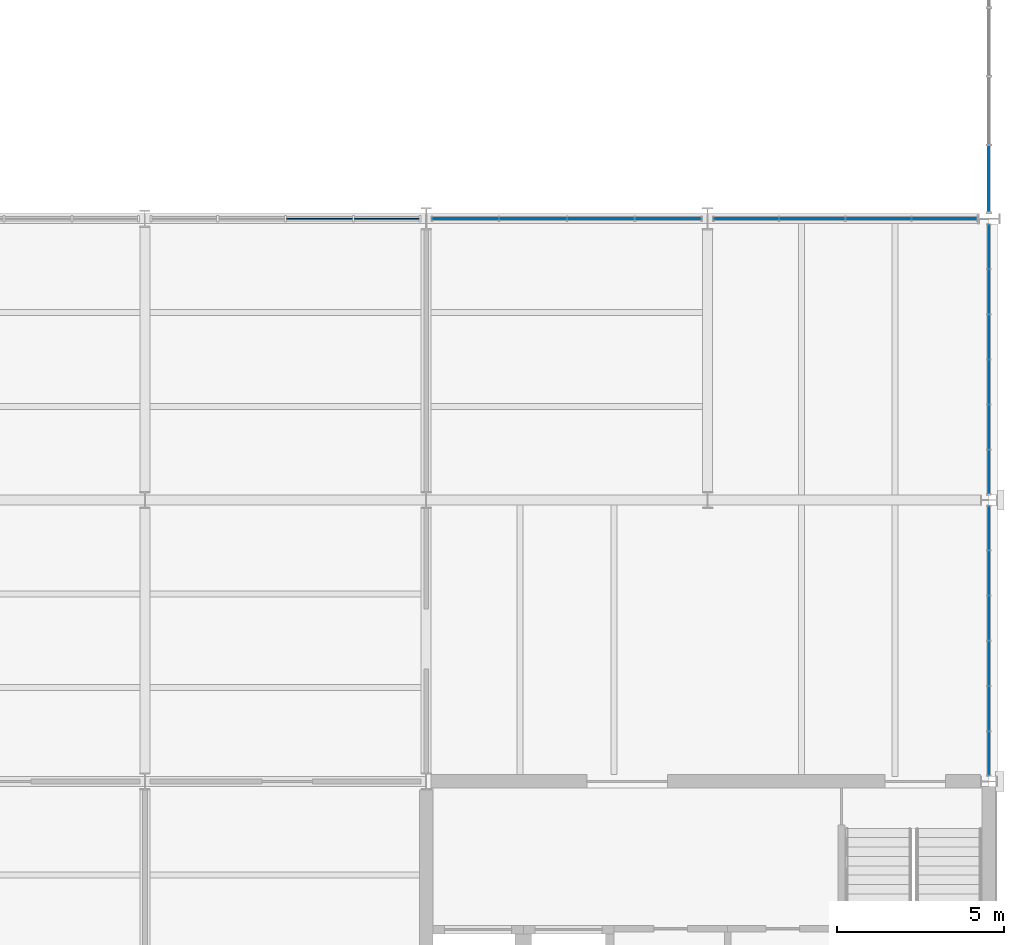
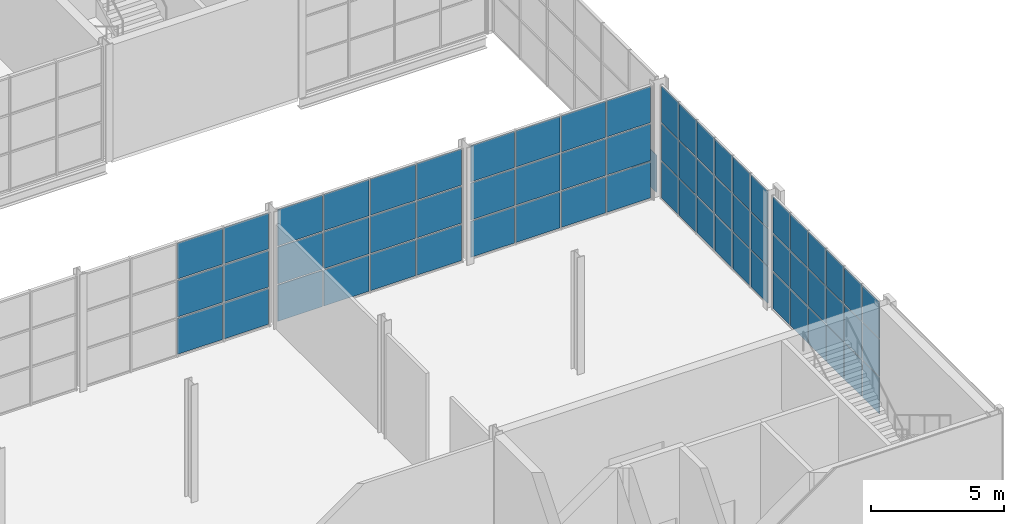
# One storey, part 36 of 64: 67 plates, 6 elements without a shape of their own.
"""IFC4 building model written with IfcOpenShell, lengths in metres."""

from ifc_helpers import new_model, si_unit, direction, frame, origin, origin_2d, place, context, subcontext, project, spatial, rectangle, extrude, material, layer, layer_set, type_object, element, aggregate, save


model = new_model("IFC4")

# Units and contexts
model_context = context("Model", 3, precision=1e-05, world=origin(), true_north=direction((0.0, 1.0)))
body_context = subcontext(model_context, "Body", "Model", "MODEL_VIEW")
ifc_project = project(units=[si_unit("LENGTHUNIT", "METRE"), si_unit("AREAUNIT", "SQUARE_METRE"), si_unit("VOLUMEUNIT", "CUBIC_METRE"), si_unit("PLANEANGLEUNIT", "RADIAN"), si_unit("MASSUNIT", "GRAM", prefix="KILO")], contexts=[model_context])

# Site, building, storey
site_placement = place(None, origin())
site = spatial("IfcSite", under=ifc_project, at=site_placement, CompositionType="ELEMENT")
building_placement = place(site_placement, origin())
building = spatial("IfcBuilding", under=site, at=building_placement, Name="Galleria Vessillo Department Store", CompositionType="ELEMENT")
storey_placement = place(building_placement, frame((0.0, 0.0, 6.0)))
storey = spatial("IfcBuildingStorey", under=building, at=storey_placement, Name="L01", CompositionType="ELEMENT", Elevation=6.0)

# Curtain wall, plates
ifc_material_1 = material(Name="Aluminium and glass curtain wall", Category="aluminium")
ifc_layer_1 = layer(ifc_material_1, 0.1201171875)
ifc_layer_set_1 = layer_set([ifc_layer_1], Name="Aluminium and glass curtain wall")
curtain_wall_type_1 = type_object("IfcCurtainWallType", Name="Shopfront curtain wall CW3 1400 module", PredefinedType="NOTDEFINED", material=ifc_layer_set_1)
curtain_wall_1_placement = place(storey_placement, origin())
curtain_wall_1 = element("IfcCurtainWall", 1, at=curtain_wall_1_placement, inside=storey, type_object=curtain_wall_type_1, Name="Shopfront curtain wall CW3 1400 module SE-S-L01-01", PredefinedType="NOTDEFINED")
ifc_material_2 = material(Name="Glass laminated 44.2 low-e", Category="glass")
ifc_layer_2 = layer(ifc_material_2, 0.02392578125)
ifc_layer_set_2 = layer_set([ifc_layer_2], Name="Glass laminated 44.2 low-e")
plate_type_1 = type_object("IfcPlateType", Name="Laminated glass panel 24 mm", PredefinedType="CURTAIN_PANEL", material=ifc_layer_set_2)
plate_1_placement = place(storey_placement, frame((117.60009765625, 9.2373046875, 1.77490234375), z_axis=(0.0, 0.0, 1.0), x_axis=(0.0, 1.0, 0.0)))
plate_1 = element("IfcPlate", 2, at=plate_1_placement, type_object=plate_type_1, Name="CW3 panel 1.2", PredefinedType="CURTAIN_PANEL", context=body_context, shape_type="SweptSolid", body=[
    extrude(rectangle(XDim=1.275146484375, YDim=0.02392578125, at=origin_2d()), origin(), (0.0, 0.0, 1.0), 1.699951171875),
])
plate_2_placement = place(storey_placement, frame((117.60009765625, 9.2373046875, 3.52490234375), z_axis=(0.0, 0.0, 1.0), x_axis=(0.0, 1.0, 0.0)))
plate_2 = element("IfcPlate", 3, at=plate_2_placement, type_object=plate_type_1, Name="CW3 panel 1.3", PredefinedType="CURTAIN_PANEL", context=body_context, shape_type="SweptSolid", body=[
    extrude(rectangle(XDim=1.275146484375, YDim=0.02392578125, at=origin_2d()), origin(), (0.0, 0.0, 1.0), 1.675048828125),
])
plate_3_placement = place(storey_placement, frame((117.60009765625, 10.574951171875, 1.77490234375), z_axis=(0.0, 0.0, 1.0), x_axis=(0.0, 1.0, 0.0)))
plate_3 = element("IfcPlate", 4, at=plate_3_placement, type_object=plate_type_1, Name="CW3 panel 2.2", PredefinedType="CURTAIN_PANEL", context=body_context, shape_type="SweptSolid", body=[
    extrude(rectangle(XDim=1.300048828125, YDim=0.02392578125, at=origin_2d()), origin(), (0.0, 0.0, 1.0), 1.699951171875),
])
plate_4_placement = place(storey_placement, frame((117.60009765625, 10.574951171875, 3.52490234375), z_axis=(0.0, 0.0, 1.0), x_axis=(0.0, 1.0, 0.0)))
plate_4 = element("IfcPlate", 5, at=plate_4_placement, type_object=plate_type_1, Name="CW3 panel 2.3", PredefinedType="CURTAIN_PANEL", context=body_context, shape_type="SweptSolid", body=[
    extrude(rectangle(XDim=1.300048828125, YDim=0.02392578125, at=origin_2d()), origin(), (0.0, 0.0, 1.0), 1.675048828125),
])
plate_5_placement = place(storey_placement, frame((117.60009765625, 11.925048828125, 1.77490234375), z_axis=(0.0, 0.0, 1.0), x_axis=(0.0, 1.0, 0.0)))
plate_5 = element("IfcPlate", 6, at=plate_5_placement, type_object=plate_type_1, Name="CW3 panel 3.2", PredefinedType="CURTAIN_PANEL", context=body_context, shape_type="SweptSolid", body=[
    extrude(rectangle(XDim=1.300048828125, YDim=0.02392578125, at=origin_2d()), origin(), (0.0, 0.0, 1.0), 1.699951171875),
])
plate_6_placement = place(storey_placement, frame((117.60009765625, 11.925048828125, 3.52490234375), z_axis=(0.0, 0.0, 1.0), x_axis=(0.0, 1.0, 0.0)))
plate_6 = element("IfcPlate", 7, at=plate_6_placement, type_object=plate_type_1, Name="CW3 panel 3.3", PredefinedType="CURTAIN_PANEL", context=body_context, shape_type="SweptSolid", body=[
    extrude(rectangle(XDim=1.300048828125, YDim=0.02392578125, at=origin_2d()), origin(), (0.0, 0.0, 1.0), 1.675048828125),
])
plate_7_placement = place(storey_placement, frame((117.60009765625, 13.27490234375, 1.77490234375), z_axis=(0.0, 0.0, 1.0), x_axis=(0.0, 1.0, 0.0)))
plate_7 = element("IfcPlate", 8, at=plate_7_placement, type_object=plate_type_1, Name="CW3 panel 4.2", PredefinedType="CURTAIN_PANEL", context=body_context, shape_type="SweptSolid", body=[
    extrude(rectangle(XDim=1.300048828125, YDim=0.02392578125, at=origin_2d()), origin(), (0.0, 0.0, 1.0), 1.699951171875),
])
plate_8_placement = place(storey_placement, frame((117.60009765625, 13.27490234375, 3.52490234375), z_axis=(0.0, 0.0, 1.0), x_axis=(0.0, 1.0, 0.0)))
plate_8 = element("IfcPlate", 9, at=plate_8_placement, type_object=plate_type_1, Name="CW3 panel 4.3", PredefinedType="CURTAIN_PANEL", context=body_context, shape_type="SweptSolid", body=[
    extrude(rectangle(XDim=1.300048828125, YDim=0.02392578125, at=origin_2d()), origin(), (0.0, 0.0, 1.0), 1.675048828125),
])
plate_9_placement = place(storey_placement, frame((117.60009765625, 14.625, 1.77490234375), z_axis=(0.0, 0.0, 1.0), x_axis=(0.0, 1.0, 0.0)))
plate_9 = element("IfcPlate", 10, at=plate_9_placement, type_object=plate_type_1, Name="CW3 panel 5.2", PredefinedType="CURTAIN_PANEL", context=body_context, shape_type="SweptSolid", body=[
    extrude(rectangle(XDim=1.300048828125, YDim=0.02392578125, at=origin_2d()), origin(), (0.0, 0.0, 1.0), 1.699951171875),
])
plate_10_placement = place(storey_placement, frame((117.60009765625, 14.625, 3.52490234375), z_axis=(0.0, 0.0, 1.0), x_axis=(0.0, 1.0, 0.0)))
plate_10 = element("IfcPlate", 11, at=plate_10_placement, type_object=plate_type_1, Name="CW3 panel 5.3", PredefinedType="CURTAIN_PANEL", context=body_context, shape_type="SweptSolid", body=[
    extrude(rectangle(XDim=1.300048828125, YDim=0.02392578125, at=origin_2d()), origin(), (0.0, 0.0, 1.0), 1.675048828125),
])
plate_11_placement = place(storey_placement, frame((117.60009765625, 15.962646484375, 1.77490234375), z_axis=(0.0, 0.0, 1.0), x_axis=(0.0, 1.0, 0.0)))
plate_11 = element("IfcPlate", 12, at=plate_11_placement, type_object=plate_type_1, Name="CW3 panel 6.2", PredefinedType="CURTAIN_PANEL", context=body_context, shape_type="SweptSolid", body=[
    extrude(rectangle(XDim=1.275146484375, YDim=0.02392578125, at=origin_2d()), origin(), (0.0, 0.0, 1.0), 1.699951171875),
])
plate_12_placement = place(storey_placement, frame((117.60009765625, 15.962646484375, 3.52490234375), z_axis=(0.0, 0.0, 1.0), x_axis=(0.0, 1.0, 0.0)))
plate_12 = element("IfcPlate", 13, at=plate_12_placement, type_object=plate_type_1, Name="CW3 panel 6.3", PredefinedType="CURTAIN_PANEL", context=body_context, shape_type="SweptSolid", body=[
    extrude(rectangle(XDim=1.275146484375, YDim=0.02392578125, at=origin_2d()), origin(), (0.0, 0.0, 1.0), 1.675048828125),
])

curtain_wall_2_placement = place(storey_placement, origin())
curtain_wall_2 = element("IfcCurtainWall", 14, at=curtain_wall_2_placement, inside=storey, type_object=curtain_wall_type_1, Name="Shopfront curtain wall CW3 1400 module SE-S-L01-02", PredefinedType="NOTDEFINED")
plate_13_placement = place(storey_placement, frame((117.60009765625, 17.63720703125, 1.77490234375), z_axis=(0.0, 0.0, 1.0), x_axis=(0.0, 1.0, 0.0)))
plate_13 = element("IfcPlate", 15, at=plate_13_placement, type_object=plate_type_1, Name="CW3 panel 1.2", PredefinedType="CURTAIN_PANEL", context=body_context, shape_type="SweptSolid", body=[
    extrude(rectangle(XDim=1.274658203125, YDim=0.02392578125, at=origin_2d()), origin(), (0.0, 0.0, 1.0), 1.699951171875),
])
plate_14_placement = place(storey_placement, frame((117.60009765625, 17.63720703125, 3.52490234375), z_axis=(0.0, 0.0, 1.0), x_axis=(0.0, 1.0, 0.0)))
plate_14 = element("IfcPlate", 16, at=plate_14_placement, type_object=plate_type_1, Name="CW3 panel 1.3", PredefinedType="CURTAIN_PANEL", context=body_context, shape_type="SweptSolid", body=[
    extrude(rectangle(XDim=1.274658203125, YDim=0.02392578125, at=origin_2d()), origin(), (0.0, 0.0, 1.0), 1.675048828125),
])
plate_15_placement = place(storey_placement, frame((117.60009765625, 18.974365234375, 1.77490234375), z_axis=(0.0, 0.0, 1.0), x_axis=(0.0, 1.0, 0.0)))
plate_15 = element("IfcPlate", 17, at=plate_15_placement, type_object=plate_type_1, Name="CW3 panel 2.2", PredefinedType="CURTAIN_PANEL", context=body_context, shape_type="SweptSolid", body=[
    extrude(rectangle(XDim=1.299560546875, YDim=0.02392578125, at=origin_2d()), origin(), (0.0, 0.0, 1.0), 1.699951171875),
])
plate_16_placement = place(storey_placement, frame((117.60009765625, 18.974365234375, 3.52490234375), z_axis=(0.0, 0.0, 1.0), x_axis=(0.0, 1.0, 0.0)))
plate_16 = element("IfcPlate", 18, at=plate_16_placement, type_object=plate_type_1, Name="CW3 panel 2.3", PredefinedType="CURTAIN_PANEL", context=body_context, shape_type="SweptSolid", body=[
    extrude(rectangle(XDim=1.299560546875, YDim=0.02392578125, at=origin_2d()), origin(), (0.0, 0.0, 1.0), 1.675048828125),
])
plate_17_placement = place(storey_placement, frame((117.60009765625, 20.323974609375, 1.77490234375), z_axis=(0.0, 0.0, 1.0), x_axis=(0.0, 1.0, 0.0)))
plate_17 = element("IfcPlate", 19, at=plate_17_placement, type_object=plate_type_1, Name="CW3 panel 3.2", PredefinedType="CURTAIN_PANEL", context=body_context, shape_type="SweptSolid", body=[
    extrude(rectangle(XDim=1.299560546875, YDim=0.02392578125, at=origin_2d()), origin(), (0.0, 0.0, 1.0), 1.699951171875),
])
plate_18_placement = place(storey_placement, frame((117.60009765625, 20.323974609375, 3.52490234375), z_axis=(0.0, 0.0, 1.0), x_axis=(0.0, 1.0, 0.0)))
plate_18 = element("IfcPlate", 20, at=plate_18_placement, type_object=plate_type_1, Name="CW3 panel 3.3", PredefinedType="CURTAIN_PANEL", context=body_context, shape_type="SweptSolid", body=[
    extrude(rectangle(XDim=1.299560546875, YDim=0.02392578125, at=origin_2d()), origin(), (0.0, 0.0, 1.0), 1.675048828125),
])
plate_19_placement = place(storey_placement, frame((117.60009765625, 21.67333984375, 1.77490234375), z_axis=(0.0, 0.0, 1.0), x_axis=(0.0, 1.0, 0.0)))
plate_19 = element("IfcPlate", 21, at=plate_19_placement, type_object=plate_type_1, Name="CW3 panel 4.2", PredefinedType="CURTAIN_PANEL", context=body_context, shape_type="SweptSolid", body=[
    extrude(rectangle(XDim=1.299560546875, YDim=0.02392578125, at=origin_2d()), origin(), (0.0, 0.0, 1.0), 1.699951171875),
])
plate_20_placement = place(storey_placement, frame((117.60009765625, 21.67333984375, 3.52490234375), z_axis=(0.0, 0.0, 1.0), x_axis=(0.0, 1.0, 0.0)))
plate_20 = element("IfcPlate", 22, at=plate_20_placement, type_object=plate_type_1, Name="CW3 panel 4.3", PredefinedType="CURTAIN_PANEL", context=body_context, shape_type="SweptSolid", body=[
    extrude(rectangle(XDim=1.299560546875, YDim=0.02392578125, at=origin_2d()), origin(), (0.0, 0.0, 1.0), 1.675048828125),
])
plate_21_placement = place(storey_placement, frame((117.60009765625, 23.02294921875, 1.77490234375), z_axis=(0.0, 0.0, 1.0), x_axis=(0.0, 1.0, 0.0)))
plate_21 = element("IfcPlate", 23, at=plate_21_placement, type_object=plate_type_1, Name="CW3 panel 5.2", PredefinedType="CURTAIN_PANEL", context=body_context, shape_type="SweptSolid", body=[
    extrude(rectangle(XDim=1.299560546875, YDim=0.02392578125, at=origin_2d()), origin(), (0.0, 0.0, 1.0), 1.699951171875),
])
plate_22_placement = place(storey_placement, frame((117.60009765625, 23.02294921875, 3.52490234375), z_axis=(0.0, 0.0, 1.0), x_axis=(0.0, 1.0, 0.0)))
plate_22 = element("IfcPlate", 24, at=plate_22_placement, type_object=plate_type_1, Name="CW3 panel 5.3", PredefinedType="CURTAIN_PANEL", context=body_context, shape_type="SweptSolid", body=[
    extrude(rectangle(XDim=1.299560546875, YDim=0.02392578125, at=origin_2d()), origin(), (0.0, 0.0, 1.0), 1.675048828125),
])
plate_23_placement = place(storey_placement, frame((117.60009765625, 24.360107421875, 1.77490234375), z_axis=(0.0, 0.0, 1.0), x_axis=(0.0, 1.0, 0.0)))
plate_23 = element("IfcPlate", 25, at=plate_23_placement, type_object=plate_type_1, Name="CW3 panel 6.2", PredefinedType="CURTAIN_PANEL", context=body_context, shape_type="SweptSolid", body=[
    extrude(rectangle(XDim=1.274658203125, YDim=0.02392578125, at=origin_2d()), origin(), (0.0, 0.0, 1.0), 1.699951171875),
])
plate_24_placement = place(storey_placement, frame((117.60009765625, 24.360107421875, 3.52490234375), z_axis=(0.0, 0.0, 1.0), x_axis=(0.0, 1.0, 0.0)))
plate_24 = element("IfcPlate", 26, at=plate_24_placement, type_object=plate_type_1, Name="CW3 panel 6.3", PredefinedType="CURTAIN_PANEL", context=body_context, shape_type="SweptSolid", body=[
    extrude(rectangle(XDim=1.274658203125, YDim=0.02392578125, at=origin_2d()), origin(), (0.0, 0.0, 1.0), 1.675048828125),
])

ifc_material_3 = material(Name="Aluminium and glass curtain wall", Category="aluminium")
ifc_layer_3 = layer(ifc_material_3, 0.159912109375)
ifc_layer_set_3 = layer_set([ifc_layer_3], Name="Aluminium and glass curtain wall")
curtain_wall_type_2 = type_object("IfcCurtainWallType", Name="Arcade portal glazing CW2 2100 module", PredefinedType="NOTDEFINED", material=ifc_layer_set_3)
curtain_wall_3_placement = place(storey_placement, origin())
curtain_wall_3 = element("IfcCurtainWall", 27, at=curtain_wall_3_placement, inside=storey, type_object=curtain_wall_type_2, Name="Arcade portal glazing CW2 2100 module PW-E-S-L01-01", PredefinedType="NOTDEFINED")
ifc_material_4 = material(Name="Glass laminated 44.2 low-e", Category="glass")
ifc_layer_4 = layer(ifc_material_4, 0.028076171875)
ifc_layer_set_4 = layer_set([ifc_layer_4], Name="Glass laminated 44.2 low-e")
plate_type_2 = type_object("IfcPlateType", Name="Laminated glass panel 28 mm", PredefinedType="CURTAIN_PANEL", material=ifc_layer_set_4)
plate_25_placement = place(storey_placement, frame((101.97705078125, 25.199951171875, 0.06005859375), z_axis=(0.0, 0.0, 1.0), x_axis=(1.0, 0.0, 0.0)))
plate_25 = element("IfcPlate", 28, at=plate_25_placement, type_object=plate_type_2, Name="CW2 panel 1.1", PredefinedType="CURTAIN_PANEL", context=body_context, shape_type="SweptSolid", body=[
    extrude(rectangle(XDim=1.94873046875, YDim=0.028076171875, at=origin_2d()), origin(), (0.0, 0.0, 1.0), 1.659912109375),
])
plate_26_placement = place(storey_placement, frame((101.97705078125, 25.199951171875, 1.780029296875), z_axis=(0.0, 0.0, 1.0), x_axis=(1.0, 0.0, 0.0)))
plate_26 = element("IfcPlate", 29, at=plate_26_placement, type_object=plate_type_2, Name="CW2 panel 1.2", PredefinedType="CURTAIN_PANEL", context=body_context, shape_type="SweptSolid", body=[
    extrude(rectangle(XDim=1.94873046875, YDim=0.028076171875, at=origin_2d()), origin(), (0.0, 0.0, 1.0), 1.68994140625),
])
plate_27_placement = place(storey_placement, frame((101.97705078125, 25.199951171875, 3.5302734375), z_axis=(0.0, 0.0, 1.0), x_axis=(1.0, 0.0, 0.0)))
plate_27 = element("IfcPlate", 30, at=plate_27_placement, type_object=plate_type_2, Name="CW2 panel 1.3", PredefinedType="CURTAIN_PANEL", context=body_context, shape_type="SweptSolid", body=[
    extrude(rectangle(XDim=1.94873046875, YDim=0.028076171875, at=origin_2d()), origin(), (0.0, 0.0, 1.0), 1.659912109375),
])
plate_28_placement = place(storey_placement, frame((103.98828125, 25.199951171875, 0.06005859375), z_axis=(0.0, 0.0, 1.0), x_axis=(1.0, 0.0, 0.0)))
plate_28 = element("IfcPlate", 31, at=plate_28_placement, type_object=plate_type_2, Name="CW2 panel 2.1", PredefinedType="CURTAIN_PANEL", context=body_context, shape_type="SweptSolid", body=[
    extrude(rectangle(XDim=1.9736328125, YDim=0.028076171875, at=origin_2d()), origin(), (0.0, 0.0, 1.0), 1.659912109375),
])
plate_29_placement = place(storey_placement, frame((103.98828125, 25.199951171875, 1.780029296875), z_axis=(0.0, 0.0, 1.0), x_axis=(1.0, 0.0, 0.0)))
plate_29 = element("IfcPlate", 32, at=plate_29_placement, type_object=plate_type_2, Name="CW2 panel 2.2", PredefinedType="CURTAIN_PANEL", context=body_context, shape_type="SweptSolid", body=[
    extrude(rectangle(XDim=1.9736328125, YDim=0.028076171875, at=origin_2d()), origin(), (0.0, 0.0, 1.0), 1.68994140625),
])
plate_30_placement = place(storey_placement, frame((103.98828125, 25.199951171875, 3.5302734375), z_axis=(0.0, 0.0, 1.0), x_axis=(1.0, 0.0, 0.0)))
plate_30 = element("IfcPlate", 33, at=plate_30_placement, type_object=plate_type_2, Name="CW2 panel 2.3", PredefinedType="CURTAIN_PANEL", context=body_context, shape_type="SweptSolid", body=[
    extrude(rectangle(XDim=1.9736328125, YDim=0.028076171875, at=origin_2d()), origin(), (0.0, 0.0, 1.0), 1.659912109375),
])
plate_31_placement = place(storey_placement, frame((106.01171875, 25.199951171875, 0.06005859375), z_axis=(0.0, 0.0, 1.0), x_axis=(1.0, 0.0, 0.0)))
plate_31 = element("IfcPlate", 34, at=plate_31_placement, type_object=plate_type_2, Name="CW2 panel 3.1", PredefinedType="CURTAIN_PANEL", context=body_context, shape_type="SweptSolid", body=[
    extrude(rectangle(XDim=1.9736328125, YDim=0.028076171875, at=origin_2d()), origin(), (0.0, 0.0, 1.0), 1.659912109375),
])
plate_32_placement = place(storey_placement, frame((106.01171875, 25.199951171875, 1.780029296875), z_axis=(0.0, 0.0, 1.0), x_axis=(1.0, 0.0, 0.0)))
plate_32 = element("IfcPlate", 35, at=plate_32_placement, type_object=plate_type_2, Name="CW2 panel 3.2", PredefinedType="CURTAIN_PANEL", context=body_context, shape_type="SweptSolid", body=[
    extrude(rectangle(XDim=1.9736328125, YDim=0.028076171875, at=origin_2d()), origin(), (0.0, 0.0, 1.0), 1.68994140625),
])
plate_33_placement = place(storey_placement, frame((106.01171875, 25.199951171875, 3.5302734375), z_axis=(0.0, 0.0, 1.0), x_axis=(1.0, 0.0, 0.0)))
plate_33 = element("IfcPlate", 36, at=plate_33_placement, type_object=plate_type_2, Name="CW2 panel 3.3", PredefinedType="CURTAIN_PANEL", context=body_context, shape_type="SweptSolid", body=[
    extrude(rectangle(XDim=1.9736328125, YDim=0.028076171875, at=origin_2d()), origin(), (0.0, 0.0, 1.0), 1.659912109375),
])
plate_34_placement = place(storey_placement, frame((108.02294921875, 25.199951171875, 0.06005859375), z_axis=(0.0, 0.0, 1.0), x_axis=(1.0, 0.0, 0.0)))
plate_34 = element("IfcPlate", 37, at=plate_34_placement, type_object=plate_type_2, Name="CW2 panel 4.1", PredefinedType="CURTAIN_PANEL", context=body_context, shape_type="SweptSolid", body=[
    extrude(rectangle(XDim=1.94873046875, YDim=0.028076171875, at=origin_2d()), origin(), (0.0, 0.0, 1.0), 1.659912109375),
])
plate_35_placement = place(storey_placement, frame((108.02294921875, 25.199951171875, 1.780029296875), z_axis=(0.0, 0.0, 1.0), x_axis=(1.0, 0.0, 0.0)))
plate_35 = element("IfcPlate", 38, at=plate_35_placement, type_object=plate_type_2, Name="CW2 panel 4.2", PredefinedType="CURTAIN_PANEL", context=body_context, shape_type="SweptSolid", body=[
    extrude(rectangle(XDim=1.94873046875, YDim=0.028076171875, at=origin_2d()), origin(), (0.0, 0.0, 1.0), 1.68994140625),
])
plate_36_placement = place(storey_placement, frame((108.02294921875, 25.199951171875, 3.5302734375), z_axis=(0.0, 0.0, 1.0), x_axis=(1.0, 0.0, 0.0)))
plate_36 = element("IfcPlate", 39, at=plate_36_placement, type_object=plate_type_2, Name="CW2 panel 4.3", PredefinedType="CURTAIN_PANEL", context=body_context, shape_type="SweptSolid", body=[
    extrude(rectangle(XDim=1.94873046875, YDim=0.028076171875, at=origin_2d()), origin(), (0.0, 0.0, 1.0), 1.659912109375),
])
aggregate(curtain_wall_3, [plate_25, plate_26, plate_27, plate_28, plate_29, plate_30, plate_31, plate_32, plate_33, plate_34, plate_35, plate_36])

curtain_wall_4_placement = place(storey_placement, origin())
curtain_wall_4 = element("IfcCurtainWall", 40, at=curtain_wall_4_placement, inside=storey, type_object=curtain_wall_type_2, Name="Arcade portal glazing CW2 2100 module PW-E-S-L01-02", PredefinedType="NOTDEFINED")
plate_37_placement = place(storey_placement, frame((110.354248046875, 25.199951171875, 0.06005859375), z_axis=(0.0, 0.0, 1.0), x_axis=(1.0, 0.0, 0.0)))
plate_37 = element("IfcPlate", 41, at=plate_37_placement, type_object=plate_type_2, Name="CW2 panel 1.1", PredefinedType="CURTAIN_PANEL", context=body_context, shape_type="SweptSolid", body=[
    extrude(rectangle(XDim=1.9033203125, YDim=0.028076171875, at=origin_2d()), origin(), (0.0, 0.0, 1.0), 1.659912109375),
])
plate_38_placement = place(storey_placement, frame((110.354248046875, 25.199951171875, 1.780029296875), z_axis=(0.0, 0.0, 1.0), x_axis=(1.0, 0.0, 0.0)))
plate_38 = element("IfcPlate", 42, at=plate_38_placement, type_object=plate_type_2, Name="CW2 panel 1.2", PredefinedType="CURTAIN_PANEL", context=body_context, shape_type="SweptSolid", body=[
    extrude(rectangle(XDim=1.9033203125, YDim=0.028076171875, at=origin_2d()), origin(), (0.0, 0.0, 1.0), 1.68994140625),
])
plate_39_placement = place(storey_placement, frame((110.354248046875, 25.199951171875, 3.5302734375), z_axis=(0.0, 0.0, 1.0), x_axis=(1.0, 0.0, 0.0)))
plate_39 = element("IfcPlate", 43, at=plate_39_placement, type_object=plate_type_2, Name="CW2 panel 1.3", PredefinedType="CURTAIN_PANEL", context=body_context, shape_type="SweptSolid", body=[
    extrude(rectangle(XDim=1.9033203125, YDim=0.028076171875, at=origin_2d()), origin(), (0.0, 0.0, 1.0), 1.659912109375),
])
plate_40_placement = place(storey_placement, frame((112.320068359375, 25.199951171875, 0.06005859375), z_axis=(0.0, 0.0, 1.0), x_axis=(1.0, 0.0, 0.0)))
plate_40 = element("IfcPlate", 44, at=plate_40_placement, type_object=plate_type_2, Name="CW2 panel 2.1", PredefinedType="CURTAIN_PANEL", context=body_context, shape_type="SweptSolid", body=[
    extrude(rectangle(XDim=1.928466796875, YDim=0.028076171875, at=origin_2d()), origin(), (0.0, 0.0, 1.0), 1.659912109375),
])
plate_41_placement = place(storey_placement, frame((112.320068359375, 25.199951171875, 1.780029296875), z_axis=(0.0, 0.0, 1.0), x_axis=(1.0, 0.0, 0.0)))
plate_41 = element("IfcPlate", 45, at=plate_41_placement, type_object=plate_type_2, Name="CW2 panel 2.2", PredefinedType="CURTAIN_PANEL", context=body_context, shape_type="SweptSolid", body=[
    extrude(rectangle(XDim=1.928466796875, YDim=0.028076171875, at=origin_2d()), origin(), (0.0, 0.0, 1.0), 1.68994140625),
])
plate_42_placement = place(storey_placement, frame((112.320068359375, 25.199951171875, 3.5302734375), z_axis=(0.0, 0.0, 1.0), x_axis=(1.0, 0.0, 0.0)))
plate_42 = element("IfcPlate", 46, at=plate_42_placement, type_object=plate_type_2, Name="CW2 panel 2.3", PredefinedType="CURTAIN_PANEL", context=body_context, shape_type="SweptSolid", body=[
    extrude(rectangle(XDim=1.928466796875, YDim=0.028076171875, at=origin_2d()), origin(), (0.0, 0.0, 1.0), 1.659912109375),
])
plate_43_placement = place(storey_placement, frame((114.298583984375, 25.199951171875, 0.06005859375), z_axis=(0.0, 0.0, 1.0), x_axis=(1.0, 0.0, 0.0)))
plate_43 = element("IfcPlate", 47, at=plate_43_placement, type_object=plate_type_2, Name="CW2 panel 3.1", PredefinedType="CURTAIN_PANEL", context=body_context, shape_type="SweptSolid", body=[
    extrude(rectangle(XDim=1.928466796875, YDim=0.028076171875, at=origin_2d()), origin(), (0.0, 0.0, 1.0), 1.659912109375),
])
plate_44_placement = place(storey_placement, frame((114.298583984375, 25.199951171875, 1.780029296875), z_axis=(0.0, 0.0, 1.0), x_axis=(1.0, 0.0, 0.0)))
plate_44 = element("IfcPlate", 48, at=plate_44_placement, type_object=plate_type_2, Name="CW2 panel 3.2", PredefinedType="CURTAIN_PANEL", context=body_context, shape_type="SweptSolid", body=[
    extrude(rectangle(XDim=1.928466796875, YDim=0.028076171875, at=origin_2d()), origin(), (0.0, 0.0, 1.0), 1.68994140625),
])
plate_45_placement = place(storey_placement, frame((114.298583984375, 25.199951171875, 3.5302734375), z_axis=(0.0, 0.0, 1.0), x_axis=(1.0, 0.0, 0.0)))
plate_45 = element("IfcPlate", 49, at=plate_45_placement, type_object=plate_type_2, Name="CW2 panel 3.3", PredefinedType="CURTAIN_PANEL", context=body_context, shape_type="SweptSolid", body=[
    extrude(rectangle(XDim=1.928466796875, YDim=0.028076171875, at=origin_2d()), origin(), (0.0, 0.0, 1.0), 1.659912109375),
])
plate_46_placement = place(storey_placement, frame((116.264404296875, 25.199951171875, 0.06005859375), z_axis=(0.0, 0.0, 1.0), x_axis=(1.0, 0.0, 0.0)))
plate_46 = element("IfcPlate", 50, at=plate_46_placement, type_object=plate_type_2, Name="CW2 panel 4.1", PredefinedType="CURTAIN_PANEL", context=body_context, shape_type="SweptSolid", body=[
    extrude(rectangle(XDim=1.9033203125, YDim=0.028076171875, at=origin_2d()), origin(), (0.0, 0.0, 1.0), 1.659912109375),
])
plate_47_placement = place(storey_placement, frame((116.264404296875, 25.199951171875, 1.780029296875), z_axis=(0.0, 0.0, 1.0), x_axis=(1.0, 0.0, 0.0)))
plate_47 = element("IfcPlate", 51, at=plate_47_placement, type_object=plate_type_2, Name="CW2 panel 4.2", PredefinedType="CURTAIN_PANEL", context=body_context, shape_type="SweptSolid", body=[
    extrude(rectangle(XDim=1.9033203125, YDim=0.028076171875, at=origin_2d()), origin(), (0.0, 0.0, 1.0), 1.68994140625),
])
plate_48_placement = place(storey_placement, frame((116.264404296875, 25.199951171875, 3.5302734375), z_axis=(0.0, 0.0, 1.0), x_axis=(1.0, 0.0, 0.0)))
plate_48 = element("IfcPlate", 52, at=plate_48_placement, type_object=plate_type_2, Name="CW2 panel 4.3", PredefinedType="CURTAIN_PANEL", context=body_context, shape_type="SweptSolid", body=[
    extrude(rectangle(XDim=1.9033203125, YDim=0.028076171875, at=origin_2d()), origin(), (0.0, 0.0, 1.0), 1.659912109375),
])
aggregate(curtain_wall_4, [plate_37, plate_38, plate_39, plate_40, plate_41, plate_42, plate_43, plate_44, plate_45, plate_46, plate_47, plate_48])

# Curtain wall, plate
curtain_wall_5_placement = place(storey_placement, origin())
curtain_wall_5 = element("IfcCurtainWall", 53, at=curtain_wall_5_placement, inside=storey, type_object=curtain_wall_type_2, Name="Arcade portal glazing CW2 2100 module SCR-E-L01-01", PredefinedType="NOTDEFINED")
plate_49_placement = place(storey_placement, frame((117.60009765625, 26.3896484375, 0.06005859375), z_axis=(0.0, 0.0, 1.0), x_axis=(0.0, 1.0, 0.0)))
plate_49 = element("IfcPlate", 54, at=plate_49_placement, type_object=plate_type_2, Name="CW2 panel 1.1", PredefinedType="CURTAIN_PANEL", context=body_context, shape_type="SweptSolid", body=[
    extrude(rectangle(XDim=1.97412109375, YDim=0.028076171875, at=origin_2d()), origin(), (0.0, 0.0, 1.0), 1.7099609375),
])
aggregate(curtain_wall_5, [plate_49])

# Curtain wall, plates
ifc_material_5 = material(Name="Aluminium and glass curtain wall", Category="aluminium")
ifc_layer_5 = layer(ifc_material_5, 0.199951171875)
ifc_layer_set_5 = layer_set([ifc_layer_5], Name="Aluminium and glass curtain wall")
curtain_wall_type_3 = type_object("IfcCurtainWallType", Name="Arcade curtain wall CW1 2100 module", PredefinedType="NOTDEFINED", material=ifc_layer_set_5)
curtain_wall_6_placement = place(storey_placement, origin())
curtain_wall_6 = element("IfcCurtainWall", 55, at=curtain_wall_6_placement, inside=storey, type_object=curtain_wall_type_3, Name="Arcade curtain wall CW1 2100 module AI-AE-S-L01-02", PredefinedType="NOTDEFINED")
ifc_material_6 = material(Name="Glass laminated 44.2 low-e", Category="glass")
ifc_layer_6 = layer(ifc_material_6, 0.031982421875)
ifc_layer_set_6 = layer_set([ifc_layer_6], Name="Glass laminated 44.2 low-e")
plate_type_3 = type_object("IfcPlateType", Name="Laminated glass panel 32 mm", PredefinedType="CURTAIN_PANEL", material=ifc_layer_set_6)
plate_50_placement = place(storey_placement, frame((97.612060546875, 25.199951171875, 0.070068359375), z_axis=(0.0, 0.0, 1.0), x_axis=(1.0, 0.0, 0.0)))
plate_50 = element("IfcPlate", 56, at=plate_50_placement, type_object=plate_type_3, Name="CW1 panel 3.1", PredefinedType="CURTAIN_PANEL", context=body_context, shape_type="SweptSolid", body=[
    extrude(rectangle(XDim=1.963623046875, YDim=0.031982421875, at=origin_2d()), origin(), (0.0, 0.0, 1.0), 1.64501953125),
])
plate_51_placement = place(storey_placement, frame((97.612060546875, 25.199951171875, 1.78515625), z_axis=(0.0, 0.0, 1.0), x_axis=(1.0, 0.0, 0.0)))
plate_51 = element("IfcPlate", 57, at=plate_51_placement, type_object=plate_type_3, Name="CW1 panel 3.2", PredefinedType="CURTAIN_PANEL", context=body_context, shape_type="SweptSolid", body=[
    extrude(rectangle(XDim=1.963623046875, YDim=0.031982421875, at=origin_2d()), origin(), (0.0, 0.0, 1.0), 1.679931640625),
])
plate_52_placement = place(storey_placement, frame((97.612060546875, 25.199951171875, 3.534912109375), z_axis=(0.0, 0.0, 1.0), x_axis=(1.0, 0.0, 0.0)))
plate_52 = element("IfcPlate", 58, at=plate_52_placement, type_object=plate_type_3, Name="CW1 panel 3.3", PredefinedType="CURTAIN_PANEL", context=body_context, shape_type="SweptSolid", body=[
    extrude(rectangle(XDim=1.963623046875, YDim=0.031982421875, at=origin_2d()), origin(), (0.0, 0.0, 1.0), 1.64501953125),
])
plate_53_placement = place(storey_placement, frame((99.62060546875, 25.199951171875, 0.070068359375), z_axis=(0.0, 0.0, 1.0), x_axis=(1.0, 0.0, 0.0)))
plate_53 = element("IfcPlate", 59, at=plate_53_placement, type_object=plate_type_3, Name="CW1 panel 4.1", PredefinedType="CURTAIN_PANEL", context=body_context, shape_type="SweptSolid", body=[
    extrude(rectangle(XDim=1.93359375, YDim=0.031982421875, at=origin_2d()), origin(), (0.0, 0.0, 1.0), 1.64501953125),
])
plate_54_placement = place(storey_placement, frame((99.62060546875, 25.199951171875, 1.78515625), z_axis=(0.0, 0.0, 1.0), x_axis=(1.0, 0.0, 0.0)))
plate_54 = element("IfcPlate", 60, at=plate_54_placement, type_object=plate_type_3, Name="CW1 panel 4.2", PredefinedType="CURTAIN_PANEL", context=body_context, shape_type="SweptSolid", body=[
    extrude(rectangle(XDim=1.93359375, YDim=0.031982421875, at=origin_2d()), origin(), (0.0, 0.0, 1.0), 1.679931640625),
])
plate_55_placement = place(storey_placement, frame((99.62060546875, 25.199951171875, 3.534912109375), z_axis=(0.0, 0.0, 1.0), x_axis=(1.0, 0.0, 0.0)))
plate_55 = element("IfcPlate", 61, at=plate_55_placement, type_object=plate_type_3, Name="CW1 panel 4.3", PredefinedType="CURTAIN_PANEL", context=body_context, shape_type="SweptSolid", body=[
    extrude(rectangle(XDim=1.93359375, YDim=0.031982421875, at=origin_2d()), origin(), (0.0, 0.0, 1.0), 1.64501953125),
])
aggregate(curtain_wall_6, [plate_50, plate_51, plate_52, plate_53, plate_54, plate_55])

# Plate
ifc_material_7 = material(Name="Limestone spandrel on aluminium tray", Category="masonry")
ifc_layer_7 = layer(ifc_material_7, 0.02392578125)
ifc_layer_set_7 = layer_set([ifc_layer_7], Name="Limestone spandrel on aluminium tray")
plate_type_4 = type_object("IfcPlateType", Name="Stone spandrel panel 24 mm", PredefinedType="CURTAIN_PANEL", material=ifc_layer_set_7)
plate_56_placement = place(storey_placement, frame((117.60009765625, 9.2373046875, 0.0498046875), z_axis=(0.0, 0.0, 1.0), x_axis=(0.0, 1.0, 0.0)))
plate_56 = element("IfcPlate", 62, at=plate_56_placement, type_object=plate_type_4, Name="CW3 panel 1.1", PredefinedType="CURTAIN_PANEL", context=body_context, shape_type="SweptSolid", body=[
    extrude(rectangle(XDim=1.275146484375, YDim=0.02392578125, at=origin_2d()), origin(), (0.0, 0.0, 1.0), 1.675048828125),
])

plate_57_placement = place(storey_placement, frame((117.60009765625, 10.574951171875, 0.0498046875), z_axis=(0.0, 0.0, 1.0), x_axis=(0.0, 1.0, 0.0)))
plate_57 = element("IfcPlate", 63, at=plate_57_placement, type_object=plate_type_4, Name="CW3 panel 2.1", PredefinedType="CURTAIN_PANEL", context=body_context, shape_type="SweptSolid", body=[
    extrude(rectangle(XDim=1.300048828125, YDim=0.02392578125, at=origin_2d()), origin(), (0.0, 0.0, 1.0), 1.675048828125),
])

plate_58_placement = place(storey_placement, frame((117.60009765625, 11.925048828125, 0.0498046875), z_axis=(0.0, 0.0, 1.0), x_axis=(0.0, 1.0, 0.0)))
plate_58 = element("IfcPlate", 64, at=plate_58_placement, type_object=plate_type_4, Name="CW3 panel 3.1", PredefinedType="CURTAIN_PANEL", context=body_context, shape_type="SweptSolid", body=[
    extrude(rectangle(XDim=1.300048828125, YDim=0.02392578125, at=origin_2d()), origin(), (0.0, 0.0, 1.0), 1.675048828125),
])

plate_59_placement = place(storey_placement, frame((117.60009765625, 13.27490234375, 0.0498046875), z_axis=(0.0, 0.0, 1.0), x_axis=(0.0, 1.0, 0.0)))
plate_59 = element("IfcPlate", 65, at=plate_59_placement, type_object=plate_type_4, Name="CW3 panel 4.1", PredefinedType="CURTAIN_PANEL", context=body_context, shape_type="SweptSolid", body=[
    extrude(rectangle(XDim=1.300048828125, YDim=0.02392578125, at=origin_2d()), origin(), (0.0, 0.0, 1.0), 1.675048828125),
])

plate_60_placement = place(storey_placement, frame((117.60009765625, 14.625, 0.0498046875), z_axis=(0.0, 0.0, 1.0), x_axis=(0.0, 1.0, 0.0)))
plate_60 = element("IfcPlate", 66, at=plate_60_placement, type_object=plate_type_4, Name="CW3 panel 5.1", PredefinedType="CURTAIN_PANEL", context=body_context, shape_type="SweptSolid", body=[
    extrude(rectangle(XDim=1.300048828125, YDim=0.02392578125, at=origin_2d()), origin(), (0.0, 0.0, 1.0), 1.675048828125),
])

plate_61_placement = place(storey_placement, frame((117.60009765625, 15.962646484375, 0.0498046875), z_axis=(0.0, 0.0, 1.0), x_axis=(0.0, 1.0, 0.0)))
plate_61 = element("IfcPlate", 67, at=plate_61_placement, type_object=plate_type_4, Name="CW3 panel 6.1", PredefinedType="CURTAIN_PANEL", context=body_context, shape_type="SweptSolid", body=[
    extrude(rectangle(XDim=1.275146484375, YDim=0.02392578125, at=origin_2d()), origin(), (0.0, 0.0, 1.0), 1.675048828125),
])

aggregate(curtain_wall_1, [plate_56, plate_1, plate_2, plate_57, plate_3, plate_4, plate_58, plate_5, plate_6, plate_59, plate_7, plate_8, plate_60, plate_9, plate_10, plate_61, plate_11, plate_12])

plate_62_placement = place(storey_placement, frame((117.60009765625, 17.63720703125, 0.0498046875), z_axis=(0.0, 0.0, 1.0), x_axis=(0.0, 1.0, 0.0)))
plate_62 = element("IfcPlate", 68, at=plate_62_placement, type_object=plate_type_4, Name="CW3 panel 1.1", PredefinedType="CURTAIN_PANEL", context=body_context, shape_type="SweptSolid", body=[
    extrude(rectangle(XDim=1.274658203125, YDim=0.02392578125, at=origin_2d()), origin(), (0.0, 0.0, 1.0), 1.675048828125),
])

plate_63_placement = place(storey_placement, frame((117.60009765625, 18.974365234375, 0.0498046875), z_axis=(0.0, 0.0, 1.0), x_axis=(0.0, 1.0, 0.0)))
plate_63 = element("IfcPlate", 69, at=plate_63_placement, type_object=plate_type_4, Name="CW3 panel 2.1", PredefinedType="CURTAIN_PANEL", context=body_context, shape_type="SweptSolid", body=[
    extrude(rectangle(XDim=1.299560546875, YDim=0.02392578125, at=origin_2d()), origin(), (0.0, 0.0, 1.0), 1.675048828125),
])

plate_64_placement = place(storey_placement, frame((117.60009765625, 20.323974609375, 0.0498046875), z_axis=(0.0, 0.0, 1.0), x_axis=(0.0, 1.0, 0.0)))
plate_64 = element("IfcPlate", 70, at=plate_64_placement, type_object=plate_type_4, Name="CW3 panel 3.1", PredefinedType="CURTAIN_PANEL", context=body_context, shape_type="SweptSolid", body=[
    extrude(rectangle(XDim=1.299560546875, YDim=0.02392578125, at=origin_2d()), origin(), (0.0, 0.0, 1.0), 1.675048828125),
])

plate_65_placement = place(storey_placement, frame((117.60009765625, 21.67333984375, 0.0498046875), z_axis=(0.0, 0.0, 1.0), x_axis=(0.0, 1.0, 0.0)))
plate_65 = element("IfcPlate", 71, at=plate_65_placement, type_object=plate_type_4, Name="CW3 panel 4.1", PredefinedType="CURTAIN_PANEL", context=body_context, shape_type="SweptSolid", body=[
    extrude(rectangle(XDim=1.299560546875, YDim=0.02392578125, at=origin_2d()), origin(), (0.0, 0.0, 1.0), 1.675048828125),
])

plate_66_placement = place(storey_placement, frame((117.60009765625, 23.02294921875, 0.0498046875), z_axis=(0.0, 0.0, 1.0), x_axis=(0.0, 1.0, 0.0)))
plate_66 = element("IfcPlate", 72, at=plate_66_placement, type_object=plate_type_4, Name="CW3 panel 5.1", PredefinedType="CURTAIN_PANEL", context=body_context, shape_type="SweptSolid", body=[
    extrude(rectangle(XDim=1.299560546875, YDim=0.02392578125, at=origin_2d()), origin(), (0.0, 0.0, 1.0), 1.675048828125),
])

plate_67_placement = place(storey_placement, frame((117.60009765625, 24.360107421875, 0.0498046875), z_axis=(0.0, 0.0, 1.0), x_axis=(0.0, 1.0, 0.0)))
plate_67 = element("IfcPlate", 73, at=plate_67_placement, type_object=plate_type_4, Name="CW3 panel 6.1", PredefinedType="CURTAIN_PANEL", context=body_context, shape_type="SweptSolid", body=[
    extrude(rectangle(XDim=1.274658203125, YDim=0.02392578125, at=origin_2d()), origin(), (0.0, 0.0, 1.0), 1.675048828125),
])

aggregate(curtain_wall_2, [plate_62, plate_13, plate_14, plate_63, plate_15, plate_16, plate_64, plate_17, plate_18, plate_65, plate_19, plate_20, plate_66, plate_21, plate_22, plate_67, plate_23, plate_24])

save(model, "model.ifc")
